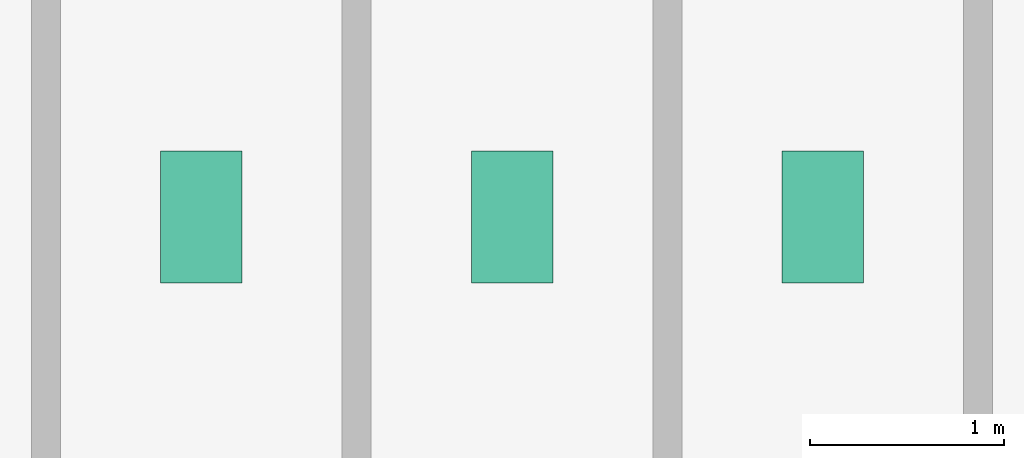
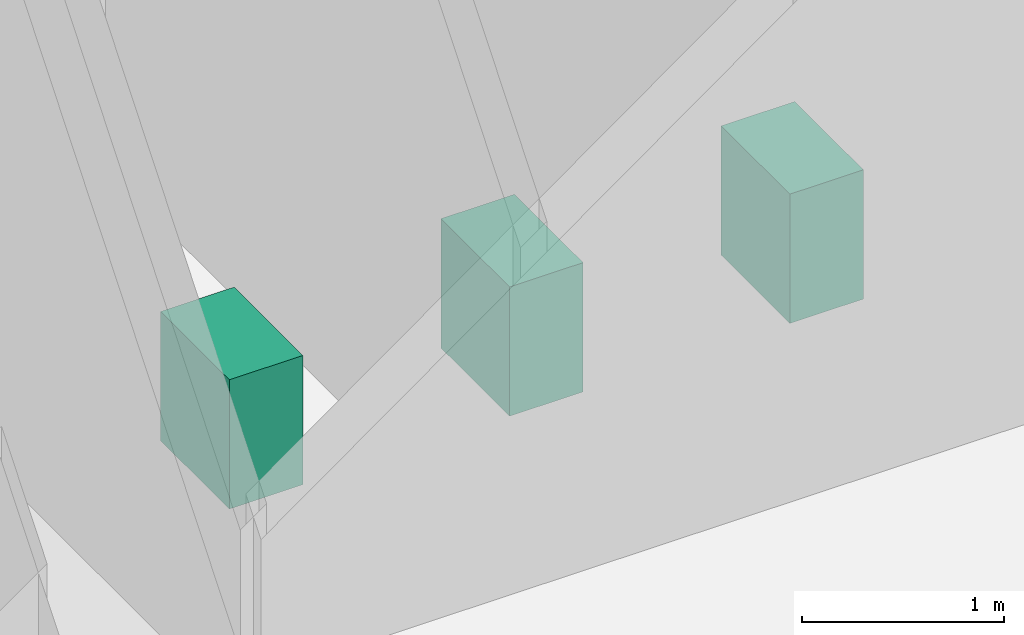
# One storey, part 26 of 26: 3 sanitary terminals.
"""IFC4 building model written with IfcOpenShell, lengths in metres."""

from ifc_helpers import new_model, si_unit, derived_unit, direction, frame, origin, origin_2d, place, context, subcontext, project, spatial, rectangle, extrude, source, transform, mapped, material, type_object, element, save


model = new_model("IFC4")

# Units and contexts
model_context = context("Model", 3, precision=1e-05, world=origin(), true_north=direction((0.0, 1.0)))
body_context = subcontext(model_context, "Body", "Model", "MODEL_VIEW")
ifc_project = project(units=[si_unit("LENGTHUNIT", "METRE"), si_unit("AREAUNIT", "SQUARE_METRE"), si_unit("VOLUMEUNIT", "CUBIC_METRE"), si_unit("PLANEANGLEUNIT", "RADIAN"), si_unit("MASSUNIT", "GRAM", prefix="KILO"), derived_unit("THERMALTRANSMITTANCEUNIT", [(si_unit("POWERUNIT", "WATT"), 1), (si_unit("LENGTHUNIT", "METRE"), -2), (si_unit("THERMODYNAMICTEMPERATUREUNIT", "KELVIN"), -1)])], contexts=[model_context])

# Site, building, storey
site_placement = place(None, origin())
site = spatial("IfcSite", under=ifc_project, at=site_placement, CompositionType="ELEMENT")
building_placement = place(site_placement, origin())
building = spatial("IfcBuilding", under=site, at=building_placement, Name="Skarnbrae Concourse Arena and Tower", CompositionType="ELEMENT")
storey_placement = place(building_placement, frame((0.0, 0.0, 95.949951171875)))
storey = spatial("IfcBuildingStorey", under=building, at=storey_placement, Name="L23", CompositionType="ELEMENT", Elevation=95.949951171875)

# Sanitary terminals
ifc_material = material(Name="Vitreous china sanitaryware", Category="other")
sanitary_terminal_type = type_object("IfcSanitaryTerminalType", Name="SAN-WC-VITREOUS", PredefinedType="TOILETPAN", material=ifc_material)
shared_shape = source(origin(), body_context, "Body", "SweptSolid", [
    extrude(rectangle(XDim=0.419921875, YDim=0.679931640625, at=origin_2d()), origin(), (0.0, 0.0, 1.0), 0.780029296875),
])
for number, where, z_axis, x_axis, name in (
    (1, (35.0, 11.39990234375, 0.0), (0.0, 0.0, 1.0), (1.0, 0.0, 0.0), "L23 Washroom WC fixture 1"),
    (2, (36.60009765625, 11.39990234375, 0.0), (0.0, 0.0, 1.0), (1.0, 0.0, 0.0), "L23 Washroom WC fixture 2"),
    (3, (38.199951171875, 11.39990234375, 0.0), (0.0, 0.0, 1.0), (1.0, 0.0, 0.0), "L23 Washroom WC fixture 3"),
):
    element("IfcSanitaryTerminal", number, at=place(storey_placement, frame(where, z_axis=z_axis, x_axis=x_axis)), inside=storey, type_object=sanitary_terminal_type, Name=name, PredefinedType="TOILETPAN", context=body_context, shape_type="MappedRepresentation", body=[
        mapped(shared_shape, transform((0.0, 0.0, 0.0))),
    ])

save(model, "model.ifc")
